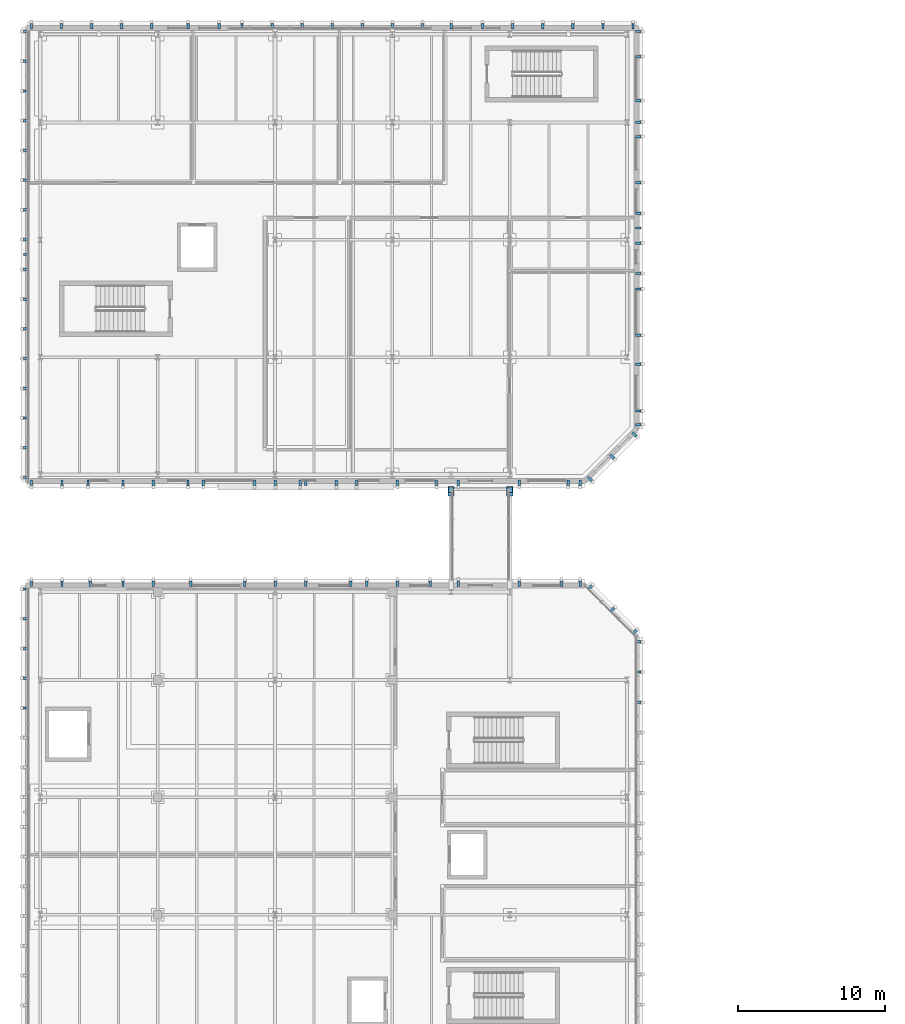
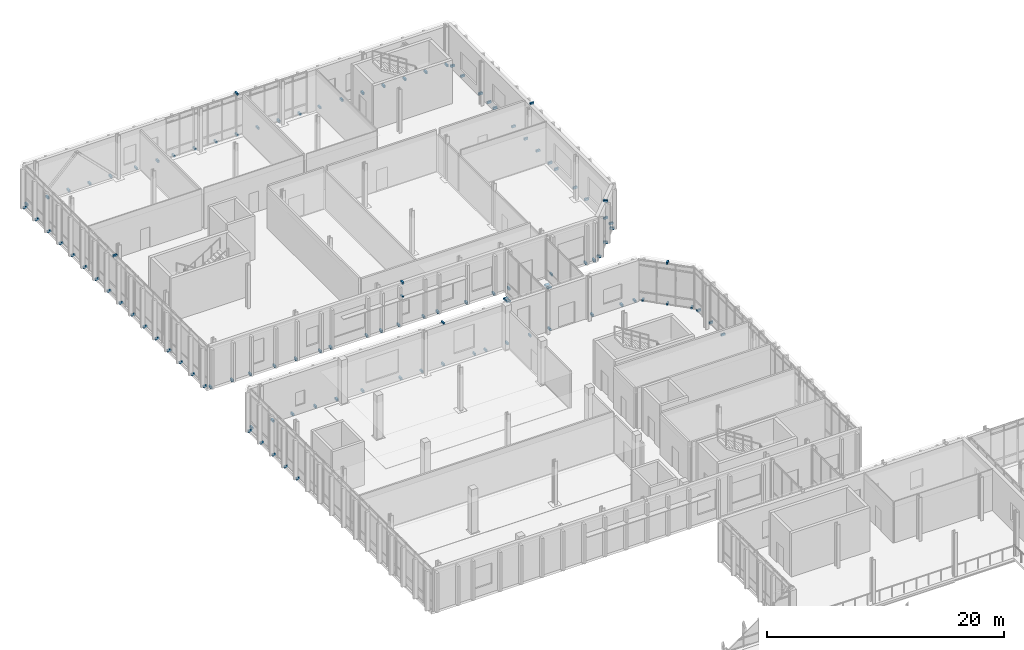
# One storey, part 80 of 100: 112 discrete accessories.
"""IFC4 building model written with IfcOpenShell, lengths in metres."""

from ifc_helpers import new_model, si_unit, direction, frame, origin, origin_2d, place, context, subcontext, project, spatial, rectangle, extrude, material, type_object, element, save


model = new_model("IFC4")

# Units and contexts
model_context = context("Model", 3, precision=1e-05, world=origin(), true_north=direction((0.0, 1.0)))
body_context = subcontext(model_context, "Body", "Model", "MODEL_VIEW")
ifc_project = project(units=[si_unit("LENGTHUNIT", "METRE"), si_unit("AREAUNIT", "SQUARE_METRE"), si_unit("VOLUMEUNIT", "CUBIC_METRE"), si_unit("PLANEANGLEUNIT", "RADIAN"), si_unit("MASSUNIT", "GRAM", prefix="KILO")], contexts=[model_context])

# Site, building, storey
site_placement = place(None, origin())
site = spatial("IfcSite", under=ifc_project, at=site_placement, CompositionType="ELEMENT")
building_placement = place(site_placement, origin())
building = spatial("IfcBuilding", under=site, at=building_placement, Name="Cymarion Research Institute", CompositionType="ELEMENT")
storey_placement = place(building_placement, frame((0.0, 0.0, 9.300048828125)))
storey = spatial("IfcBuildingStorey", under=building, at=storey_placement, Name="L02", CompositionType="ELEMENT", Elevation=9.300048828125)

# Discrete accessories
ifc_material = material(Name="Steel S355", Category="steel")
discrete_accessory_type_1 = type_object("IfcDiscreteAccessoryType", Name="PTFE ELASTOMERIC SLIDING BEARING SB01", PredefinedType="SHOE", material=ifc_material)
for number, where, z_axis, x_axis, name in (
    (1, (34.60009765625, 84.43994140625, -0.590087890625), (0.0, 0.0, 1.0), (1.0, 0.0, 0.0), "L02 SP2 unguided PTFE sliding bearing 1"),
    (2, (38.60009765625, 84.43994140625, -0.590087890625), (0.0, 0.0, 1.0), (1.0, 0.0, 0.0), "L02 SP2 unguided PTFE sliding bearing 2"),
):
    element("IfcDiscreteAccessory", number, at=place(storey_placement, frame(where, z_axis=z_axis, x_axis=x_axis)), inside=storey, type_object=discrete_accessory_type_1, Name=name, PredefinedType="SHOE", context=body_context, shape_type="SweptSolid", body=[
        extrude(rectangle(XDim=0.35009765625, YDim=0.35009765625, at=origin_2d()), origin(), (0.0, 0.0, 1.0), 0.080078125),
    ])
discrete_accessory_type_2 = type_object("IfcDiscreteAccessoryType", Name="STAINLESS STEEL FACADE FIN BRACKET FBK1", PredefinedType="BRACKET", material=ifc_material)
for number, where, z_axis, x_axis, name in (
    (3, (47.360107421875, 69.976806640625, -0.08984375), (0.0, 0.0, 1.0), (1.0, 0.0, 0.0), "L02 V4 vertical rib anchor bracket #546"),
    (4, (47.360107421875, 72.03857421875, -0.08984375), (0.0, 0.0, 1.0), (1.0, 0.0, 0.0), "L02 V4 vertical rib anchor bracket #547"),
    (5, (47.360107421875, 74.10009765625, -0.08984375), (0.0, 0.0, 1.0), (1.0, 0.0, 0.0), "L02 V4 vertical rib anchor bracket #548"),
):
    element("IfcDiscreteAccessory", number, at=place(storey_placement, frame(where, z_axis=z_axis, x_axis=x_axis)), inside=storey, type_object=discrete_accessory_type_2, Name=name, PredefinedType="BRACKET", context=body_context, shape_type="SweptSolid", body=[
        extrude(rectangle(XDim=0.3798828125, YDim=0.159912109375, at=origin_2d()), origin(), (0.0, 0.0, 1.0), 0.219970703125),
    ])
discrete_accessory_1_placement = place(storey_placement, frame((45.57177734375, 76.271728515625, 4.169921875), z_axis=(0.0, 0.0, 1.0), x_axis=(0.707106781187, 0.707106781187, 0.0)))
element("IfcDiscreteAccessory", 6, at=discrete_accessory_1_placement, inside=storey, type_object=discrete_accessory_type_2, Name="L02 V4 spandrel brow anchor bracket #549", PredefinedType="BRACKET", context=body_context, shape_type="SweptSolid", body=[
    extrude(rectangle(XDim=0.3798828125, YDim=0.159912109375, at=origin_2d()), origin(), (0.0, 0.0, 1.0), 0.199951171875),
])
for number, where, z_axis, x_axis, name in (
    (7, (47.0888671875, 74.754638671875, -0.08984375), (0.0, 0.0, 1.0), (0.707106781187, 0.707106781187, 0.0), "L02 V4 vertical rib anchor bracket #550"),
    (8, (45.57177734375, 76.271728515625, -0.08984375), (0.0, 0.0, 1.0), (0.707106781187, 0.707106781187, 0.0), "L02 V4 vertical rib anchor bracket #551"),
    (9, (44.054443359375, 77.788818359375, -0.08984375), (0.0, 0.0, 1.0), (0.707106781187, 0.707106781187, 0.0), "L02 V4 vertical rib anchor bracket #552"),
):
    element("IfcDiscreteAccessory", number, at=place(storey_placement, frame(where, z_axis=z_axis, x_axis=x_axis)), inside=storey, type_object=discrete_accessory_type_2, Name=name, PredefinedType="BRACKET", context=body_context, shape_type="SweptSolid", body=[
        extrude(rectangle(XDim=0.3798828125, YDim=0.159912109375, at=origin_2d()), origin(), (0.0, 0.0, 1.0), 0.219970703125),
    ])
discrete_accessory_2_placement = place(storey_placement, frame((24.699951171875, 78.06005859375, 4.169921875), z_axis=(0.0, 0.0, 1.0), x_axis=(0.0, 1.0, 0.0)))
element("IfcDiscreteAccessory", 10, at=discrete_accessory_2_placement, inside=storey, type_object=discrete_accessory_type_2, Name="L02 V4 spandrel brow anchor bracket #553", PredefinedType="BRACKET", context=body_context, shape_type="SweptSolid", body=[
    extrude(rectangle(XDim=0.3798828125, YDim=0.159912109375, at=origin_2d()), origin(), (0.0, 0.0, 1.0), 0.199951171875),
])
for number, where, z_axis, x_axis, name in (
    (11, (43.39990234375, 78.06005859375, -0.08984375), (0.0, 0.0, 1.0), (0.0, 1.0, 0.0), "L02 V4 vertical rib anchor bracket #554"),
    (12, (42.13818359375, 78.06005859375, -0.08984375), (0.0, 0.0, 1.0), (0.0, 1.0, 0.0), "L02 V4 vertical rib anchor bracket #555"),
    (13, (39.244384765625, 78.06005859375, -0.08984375), (0.0, 0.0, 1.0), (0.0, 1.0, 0.0), "L02 V4 vertical rib anchor bracket #556"),
    (14, (35.0888671875, 78.06005859375, -0.08984375), (0.0, 0.0, 1.0), (0.0, 1.0, 0.0), "L02 V4 vertical rib anchor bracket #557"),
    (15, (33.170166015625, 78.06005859375, -0.08984375), (0.0, 0.0, 1.0), (0.0, 1.0, 0.0), "L02 V4 vertical rib anchor bracket #558"),
    (16, (30.933349609375, 78.06005859375, -0.08984375), (0.0, 0.0, 1.0), (0.0, 1.0, 0.0), "L02 V4 vertical rib anchor bracket #559"),
    (17, (28.855712890625, 78.06005859375, -0.08984375), (0.0, 0.0, 1.0), (0.0, 1.0, 0.0), "L02 V4 vertical rib anchor bracket #560"),
    (18, (27.750244140625, 78.06005859375, -0.08984375), (0.0, 0.0, 1.0), (0.0, 1.0, 0.0), "L02 V4 vertical rib anchor bracket #561"),
    (19, (24.699951171875, 78.06005859375, -0.08984375), (0.0, 0.0, 1.0), (0.0, 1.0, 0.0), "L02 V4 vertical rib anchor bracket #562"),
    (20, (22.622314453125, 78.06005859375, -0.08984375), (0.0, 0.0, 1.0), (0.0, 1.0, 0.0), "L02 V4 vertical rib anchor bracket #563"),
    (21, (20.54443359375, 78.06005859375, -0.08984375), (0.0, 0.0, 1.0), (0.0, 1.0, 0.0), "L02 V4 vertical rib anchor bracket #564"),
    (22, (16.85009765625, 78.06005859375, -0.08984375), (0.0, 0.0, 1.0), (0.0, 1.0, 0.0), "L02 V4 vertical rib anchor bracket #565"),
    (23, (14.31103515625, 78.06005859375, -0.08984375), (0.0, 0.0, 1.0), (0.0, 1.0, 0.0), "L02 V4 vertical rib anchor bracket #566"),
    (24, (12.2333984375, 78.06005859375, -0.08984375), (0.0, 0.0, 1.0), (0.0, 1.0, 0.0), "L02 V4 vertical rib anchor bracket #567"),
    (25, (10.000244140625, 78.06005859375, -0.08984375), (0.0, 0.0, 1.0), (0.0, 1.0, 0.0), "L02 V4 vertical rib anchor bracket #568"),
    (26, (8.077880859375, 78.06005859375, -0.08984375), (0.0, 0.0, 1.0), (0.0, 1.0, 0.0), "L02 V4 vertical rib anchor bracket #569"),
    (27, (6.0, 78.06005859375, -0.08984375), (0.0, 0.0, 1.0), (0.0, 1.0, 0.0), "L02 V4 vertical rib anchor bracket #570"),
    (28, (5.639892578125, 77.699951171875, -0.08984375), (0.0, 0.0, 1.0), (-1.0, 0.0, 0.0), "L02 V4 vertical rib anchor bracket #572"),
    (29, (5.639892578125, 75.67333984375, -0.08984375), (0.0, 0.0, 1.0), (-1.0, 0.0, 0.0), "L02 V4 vertical rib anchor bracket #573"),
    (30, (5.639892578125, 73.646728515625, -0.08984375), (0.0, 0.0, 1.0), (-1.0, 0.0, 0.0), "L02 V4 vertical rib anchor bracket #574"),
    (31, (5.639892578125, 71.6201171875, -0.08984375), (0.0, 0.0, 1.0), (-1.0, 0.0, 0.0), "L02 V4 vertical rib anchor bracket #575"),
    (32, (5.639892578125, 69.59326171875, -0.08984375), (0.0, 0.0, 1.0), (-1.0, 0.0, 0.0), "L02 V4 vertical rib anchor bracket #576"),
):
    element("IfcDiscreteAccessory", number, at=place(storey_placement, frame(where, z_axis=z_axis, x_axis=x_axis)), inside=storey, type_object=discrete_accessory_type_2, Name=name, PredefinedType="BRACKET", context=body_context, shape_type="SweptSolid", body=[
        extrude(rectangle(XDim=0.3798828125, YDim=0.159912109375, at=origin_2d()), origin(), (0.0, 0.0, 1.0), 0.219970703125),
    ])
discrete_accessory_3_placement = place(storey_placement, frame((24.699951171875, 84.93994140625, 4.169921875), z_axis=(0.0, 0.0, 1.0), x_axis=(0.0, -1.0, 0.0)))
element("IfcDiscreteAccessory", 33, at=discrete_accessory_3_placement, inside=storey, type_object=discrete_accessory_type_2, Name="L02 V5 spandrel brow anchor bracket #588", PredefinedType="BRACKET", context=body_context, shape_type="SweptSolid", body=[
    extrude(rectangle(XDim=0.3798828125, YDim=0.159912109375, at=origin_2d()), origin(), (0.0, 0.0, 1.0), 0.199951171875),
])
for number, where, z_axis, x_axis, name in (
    (34, (6.0, 84.93994140625, -0.08984375), (0.0, 0.0, 1.0), (0.0, -1.0, 0.0), "L02 V5 vertical rib anchor bracket #589"),
    (35, (8.077880859375, 84.93994140625, -0.08984375), (0.0, 0.0, 1.0), (0.0, -1.0, 0.0), "L02 V5 vertical rib anchor bracket #590"),
    (36, (9.85009765625, 84.93994140625, -0.08984375), (0.0, 0.0, 1.0), (0.0, -1.0, 0.0), "L02 V5 vertical rib anchor bracket #591"),
    (37, (12.2333984375, 84.93994140625, -0.08984375), (0.0, 0.0, 1.0), (0.0, -1.0, 0.0), "L02 V5 vertical rib anchor bracket #592"),
    (38, (14.31103515625, 84.93994140625, -0.08984375), (0.0, 0.0, 1.0), (0.0, -1.0, 0.0), "L02 V5 vertical rib anchor bracket #593"),
    (39, (16.669921875, 84.93994140625, -0.08984375), (0.0, 0.0, 1.0), (0.0, -1.0, 0.0), "L02 V5 vertical rib anchor bracket #594"),
    (40, (17.7099609375, 84.93994140625, -0.08984375), (0.0, 0.0, 1.0), (0.0, -1.0, 0.0), "L02 V5 vertical rib anchor bracket #595"),
    (41, (21.2099609375, 84.93994140625, -0.08984375), (0.0, 0.0, 1.0), (0.0, -1.0, 0.0), "L02 V5 vertical rib anchor bracket #596"),
    (42, (22.622314453125, 84.93994140625, -0.08984375), (0.0, 0.0, 1.0), (0.0, -1.0, 0.0), "L02 V5 vertical rib anchor bracket #597"),
    (43, (24.320068359375, 84.93994140625, -0.08984375), (0.0, 0.0, 1.0), (0.0, -1.0, 0.0), "L02 V5 vertical rib anchor bracket #598"),
    (44, (26.77783203125, 84.93994140625, -0.08984375), (0.0, 0.0, 1.0), (0.0, -1.0, 0.0), "L02 V5 vertical rib anchor bracket #599"),
    (45, (28.155029296875, 84.93994140625, -0.08984375), (0.0, 0.0, 1.0), (0.0, -1.0, 0.0), "L02 V5 vertical rib anchor bracket #600"),
    (46, (30.933349609375, 84.93994140625, -0.08984375), (0.0, 0.0, 1.0), (0.0, -1.0, 0.0), "L02 V5 vertical rib anchor bracket #601"),
    (47, (33.60498046875, 84.93994140625, -0.08984375), (0.0, 0.0, 1.0), (0.0, -1.0, 0.0), "L02 V5 vertical rib anchor bracket #602"),
    (48, (35.0888671875, 84.93994140625, -0.08984375), (0.0, 0.0, 1.0), (0.0, -1.0, 0.0), "L02 V5 vertical rib anchor bracket #603"),
    (49, (39.244384765625, 84.93994140625, -0.08984375), (0.0, 0.0, 1.0), (0.0, -1.0, 0.0), "L02 V5 vertical rib anchor bracket #604"),
    (50, (42.574951171875, 84.93994140625, -0.08984375), (0.0, 0.0, 1.0), (0.0, -1.0, 0.0), "L02 V5 vertical rib anchor bracket #605"),
    (51, (43.39990234375, 84.93994140625, -0.08984375), (0.0, 0.0, 1.0), (0.0, -1.0, 0.0), "L02 V5 vertical rib anchor bracket #606"),
):
    element("IfcDiscreteAccessory", number, at=place(storey_placement, frame(where, z_axis=z_axis, x_axis=x_axis)), inside=storey, type_object=discrete_accessory_type_2, Name=name, PredefinedType="BRACKET", context=body_context, shape_type="SweptSolid", body=[
        extrude(rectangle(XDim=0.3798828125, YDim=0.159912109375, at=origin_2d()), origin(), (0.0, 0.0, 1.0), 0.219970703125),
    ])
discrete_accessory_4_placement = place(storey_placement, frame((24.699951171875, 84.949951171875, 2.72998046875), z_axis=(0.0, 0.0, 1.0), x_axis=(0.0, -1.0, 0.0)))
element("IfcDiscreteAccessory", 52, at=discrete_accessory_4_placement, inside=storey, type_object=discrete_accessory_type_2, Name="L02 V5 sunshade anchor bracket #6", PredefinedType="BRACKET", context=body_context, shape_type="SweptSolid", body=[
    extrude(rectangle(XDim=0.3798828125, YDim=0.159912109375, at=origin_2d()), origin(), (0.0, 0.0, 1.0), 0.179931640625),
])
discrete_accessory_5_placement = place(storey_placement, frame((45.57177734375, 86.728271484375, 4.169921875), z_axis=(0.0, 0.0, 1.0), x_axis=(0.707106781187, -0.707106781187, 0.0)))
element("IfcDiscreteAccessory", 53, at=discrete_accessory_5_placement, inside=storey, type_object=discrete_accessory_type_2, Name="L02 V5 spandrel brow anchor bracket #607", PredefinedType="BRACKET", context=body_context, shape_type="SweptSolid", body=[
    extrude(rectangle(XDim=0.3798828125, YDim=0.159912109375, at=origin_2d()), origin(), (0.0, 0.0, 1.0), 0.199951171875),
])
for number, where, z_axis, x_axis, name in (
    (54, (44.0546875, 85.211181640625, -0.08984375), (0.0, 0.0, 1.0), (0.707106781187, -0.707106781187, 0.0), "L02 V5 vertical rib anchor bracket #608"),
    (55, (45.57177734375, 86.728271484375, -0.08984375), (0.0, 0.0, 1.0), (0.707106781187, -0.707106781187, 0.0), "L02 V5 vertical rib anchor bracket #609"),
    (56, (47.0888671875, 88.24560546875, -0.08984375), (0.0, 0.0, 1.0), (0.707106781187, -0.707106781187, 0.0), "L02 V5 vertical rib anchor bracket #610"),
):
    element("IfcDiscreteAccessory", number, at=place(storey_placement, frame(where, z_axis=z_axis, x_axis=x_axis)), inside=storey, type_object=discrete_accessory_type_2, Name=name, PredefinedType="BRACKET", context=body_context, shape_type="SweptSolid", body=[
        extrude(rectangle(XDim=0.3798828125, YDim=0.159912109375, at=origin_2d()), origin(), (0.0, 0.0, 1.0), 0.219970703125),
    ])
discrete_accessory_6_placement = place(storey_placement, frame((47.360107421875, 102.300048828125, 4.169921875), z_axis=(0.0, 0.0, 1.0), x_axis=(1.0, 0.0, 0.0)))
element("IfcDiscreteAccessory", 57, at=discrete_accessory_6_placement, inside=storey, type_object=discrete_accessory_type_2, Name="L02 V5 spandrel brow anchor bracket #611", PredefinedType="BRACKET", context=body_context, shape_type="SweptSolid", body=[
    extrude(rectangle(XDim=0.3798828125, YDim=0.159912109375, at=origin_2d()), origin(), (0.0, 0.0, 1.0), 0.199951171875),
])
for number, where, z_axis, x_axis, name in (
    (58, (47.360107421875, 88.89990234375, -0.08984375), (0.0, 0.0, 1.0), (1.0, 0.0, 0.0), "L02 V5 vertical rib anchor bracket #612"),
    (59, (47.360107421875, 89.8369140625, -0.08984375), (0.0, 0.0, 1.0), (1.0, 0.0, 0.0), "L02 V5 vertical rib anchor bracket #613"),
    (60, (47.360107421875, 93.023193359375, -0.08984375), (0.0, 0.0, 1.0), (1.0, 0.0, 0.0), "L02 V5 vertical rib anchor bracket #614"),
    (61, (47.360107421875, 94.994873046875, -0.08984375), (0.0, 0.0, 1.0), (1.0, 0.0, 0.0), "L02 V5 vertical rib anchor bracket #615"),
    (62, (47.360107421875, 98.144775390625, -0.08984375), (0.0, 0.0, 1.0), (1.0, 0.0, 0.0), "L02 V5 vertical rib anchor bracket #616"),
    (63, (47.360107421875, 99.207763671875, -0.08984375), (0.0, 0.0, 1.0), (1.0, 0.0, 0.0), "L02 V5 vertical rib anchor bracket #617"),
    (64, (47.360107421875, 101.269287109375, -0.08984375), (0.0, 0.0, 1.0), (1.0, 0.0, 0.0), "L02 V5 vertical rib anchor bracket #618"),
    (65, (47.360107421875, 103.2998046875, -0.08984375), (0.0, 0.0, 1.0), (1.0, 0.0, 0.0), "L02 V5 vertical rib anchor bracket #619"),
    (66, (47.360107421875, 105.392333984375, -0.08984375), (0.0, 0.0, 1.0), (1.0, 0.0, 0.0), "L02 V5 vertical rib anchor bracket #620"),
    (67, (47.360107421875, 108.52978515625, -0.08984375), (0.0, 0.0, 1.0), (1.0, 0.0, 0.0), "L02 V5 vertical rib anchor bracket #621"),
    (68, (47.360107421875, 109.515380859375, -0.08984375), (0.0, 0.0, 1.0), (1.0, 0.0, 0.0), "L02 V5 vertical rib anchor bracket #622"),
    (69, (47.360107421875, 110.98974609375, -0.08984375), (0.0, 0.0, 1.0), (1.0, 0.0, 0.0), "L02 V5 vertical rib anchor bracket #623"),
    (70, (47.360107421875, 113.98974609375, -0.08984375), (0.0, 0.0, 1.0), (1.0, 0.0, 0.0), "L02 V5 vertical rib anchor bracket #624"),
    (71, (47.360107421875, 115.699951171875, -0.08984375), (0.0, 0.0, 1.0), (1.0, 0.0, 0.0), "L02 V5 vertical rib anchor bracket #625"),
):
    element("IfcDiscreteAccessory", number, at=place(storey_placement, frame(where, z_axis=z_axis, x_axis=x_axis)), inside=storey, type_object=discrete_accessory_type_2, Name=name, PredefinedType="BRACKET", context=body_context, shape_type="SweptSolid", body=[
        extrude(rectangle(XDim=0.3798828125, YDim=0.159912109375, at=origin_2d()), origin(), (0.0, 0.0, 1.0), 0.219970703125),
    ])
discrete_accessory_7_placement = place(storey_placement, frame((26.5, 116.06005859375, 4.169921875), z_axis=(0.0, 0.0, 1.0), x_axis=(0.0, 1.0, 0.0)))
element("IfcDiscreteAccessory", 72, at=discrete_accessory_7_placement, inside=storey, type_object=discrete_accessory_type_2, Name="L02 V5 spandrel brow anchor bracket #626", PredefinedType="BRACKET", context=body_context, shape_type="SweptSolid", body=[
    extrude(rectangle(XDim=0.3798828125, YDim=0.159912109375, at=origin_2d()), origin(), (0.0, 0.0, 1.0), 0.199951171875),
])
for number, where, z_axis, x_axis, name in (
    (73, (47.0, 116.06005859375, -0.08984375), (0.0, 0.0, 1.0), (0.0, 1.0, 0.0), "L02 V5 vertical rib anchor bracket #627"),
    (74, (44.949951171875, 116.06005859375, -0.08984375), (0.0, 0.0, 1.0), (0.0, 1.0, 0.0), "L02 V5 vertical rib anchor bracket #628"),
    (75, (42.89990234375, 116.06005859375, -0.08984375), (0.0, 0.0, 1.0), (0.0, 1.0, 0.0), "L02 V5 vertical rib anchor bracket #629"),
    (76, (40.85009765625, 116.06005859375, -0.08984375), (0.0, 0.0, 1.0), (0.0, 1.0, 0.0), "L02 V5 vertical rib anchor bracket #630"),
    (77, (38.800048828125, 116.06005859375, -0.08984375), (0.0, 0.0, 1.0), (0.0, 1.0, 0.0), "L02 V5 vertical rib anchor bracket #631"),
    (78, (36.75, 116.06005859375, -0.08984375), (0.0, 0.0, 1.0), (0.0, 1.0, 0.0), "L02 V5 vertical rib anchor bracket #632"),
    (79, (34.610107421875, 116.06005859375, -0.08984375), (0.0, 0.0, 1.0), (0.0, 1.0, 0.0), "L02 V5 vertical rib anchor bracket #633"),
    (80, (32.64990234375, 116.06005859375, -0.08984375), (0.0, 0.0, 1.0), (0.0, 1.0, 0.0), "L02 V5 vertical rib anchor bracket #634"),
    (81, (30.60009765625, 116.06005859375, -0.08984375), (0.0, 0.0, 1.0), (0.0, 1.0, 0.0), "L02 V5 vertical rib anchor bracket #635"),
    (82, (28.550048828125, 116.06005859375, -0.08984375), (0.0, 0.0, 1.0), (0.0, 1.0, 0.0), "L02 V5 vertical rib anchor bracket #636"),
    (83, (26.5, 116.06005859375, -0.08984375), (0.0, 0.0, 1.0), (0.0, 1.0, 0.0), "L02 V5 vertical rib anchor bracket #637"),
    (84, (24.449951171875, 116.06005859375, -0.08984375), (0.0, 0.0, 1.0), (0.0, 1.0, 0.0), "L02 V5 vertical rib anchor bracket #638"),
    (85, (22.39990234375, 116.06005859375, -0.08984375), (0.0, 0.0, 1.0), (0.0, 1.0, 0.0), "L02 V5 vertical rib anchor bracket #639"),
    (86, (20.35009765625, 116.06005859375, -0.08984375), (0.0, 0.0, 1.0), (0.0, 1.0, 0.0), "L02 V5 vertical rib anchor bracket #640"),
    (87, (18.79296875, 116.06005859375, -0.08984375), (0.0, 0.0, 1.0), (0.0, 1.0, 0.0), "L02 V5 vertical rib anchor bracket #641"),
    (88, (16.679931640625, 116.06005859375, -0.08984375), (0.0, 0.0, 1.0), (0.0, 1.0, 0.0), "L02 V5 vertical rib anchor bracket #642"),
    (89, (14.199951171875, 116.06005859375, -0.08984375), (0.0, 0.0, 1.0), (0.0, 1.0, 0.0), "L02 V5 vertical rib anchor bracket #643"),
    (90, (12.14990234375, 116.06005859375, -0.08984375), (0.0, 0.0, 1.0), (0.0, 1.0, 0.0), "L02 V5 vertical rib anchor bracket #644"),
    (91, (10.10009765625, 116.06005859375, -0.08984375), (0.0, 0.0, 1.0), (0.0, 1.0, 0.0), "L02 V5 vertical rib anchor bracket #645"),
    (92, (8.050048828125, 116.06005859375, -0.08984375), (0.0, 0.0, 1.0), (0.0, 1.0, 0.0), "L02 V5 vertical rib anchor bracket #646"),
    (93, (6.0, 116.06005859375, -0.08984375), (0.0, 0.0, 1.0), (0.0, 1.0, 0.0), "L02 V5 vertical rib anchor bracket #647"),
):
    element("IfcDiscreteAccessory", number, at=place(storey_placement, frame(where, z_axis=z_axis, x_axis=x_axis)), inside=storey, type_object=discrete_accessory_type_2, Name=name, PredefinedType="BRACKET", context=body_context, shape_type="SweptSolid", body=[
        extrude(rectangle(XDim=0.3798828125, YDim=0.159912109375, at=origin_2d()), origin(), (0.0, 0.0, 1.0), 0.219970703125),
    ])
discrete_accessory_8_placement = place(storey_placement, frame((5.639892578125, 100.5, 4.169921875), z_axis=(0.0, 0.0, 1.0), x_axis=(-1.0, 0.0, 0.0)))
element("IfcDiscreteAccessory", 94, at=discrete_accessory_8_placement, inside=storey, type_object=discrete_accessory_type_2, Name="L02 V5 spandrel brow anchor bracket #648", PredefinedType="BRACKET", context=body_context, shape_type="SweptSolid", body=[
    extrude(rectangle(XDim=0.3798828125, YDim=0.159912109375, at=origin_2d()), origin(), (0.0, 0.0, 1.0), 0.199951171875),
])
for number, where, z_axis, x_axis, name in (
    (95, (5.639892578125, 115.699951171875, -0.08984375), (0.0, 0.0, 1.0), (-1.0, 0.0, 0.0), "L02 V5 vertical rib anchor bracket #649"),
    (96, (5.639892578125, 113.67333984375, -0.08984375), (0.0, 0.0, 1.0), (-1.0, 0.0, 0.0), "L02 V5 vertical rib anchor bracket #650"),
    (97, (5.639892578125, 111.646728515625, -0.08984375), (0.0, 0.0, 1.0), (-1.0, 0.0, 0.0), "L02 V5 vertical rib anchor bracket #651"),
    (98, (5.639892578125, 109.6201171875, -0.08984375), (0.0, 0.0, 1.0), (-1.0, 0.0, 0.0), "L02 V5 vertical rib anchor bracket #652"),
    (99, (5.639892578125, 107.59326171875, -0.08984375), (0.0, 0.0, 1.0), (-1.0, 0.0, 0.0), "L02 V5 vertical rib anchor bracket #653"),
    (100, (5.639892578125, 105.566650390625, -0.08984375), (0.0, 0.0, 1.0), (-1.0, 0.0, 0.0), "L02 V5 vertical rib anchor bracket #654"),
    (101, (5.639892578125, 103.5400390625, -0.08984375), (0.0, 0.0, 1.0), (-1.0, 0.0, 0.0), "L02 V5 vertical rib anchor bracket #655"),
    (102, (5.639892578125, 101.51318359375, -0.08984375), (0.0, 0.0, 1.0), (-1.0, 0.0, 0.0), "L02 V5 vertical rib anchor bracket #656"),
    (103, (5.639892578125, 99.48681640625, -0.08984375), (0.0, 0.0, 1.0), (-1.0, 0.0, 0.0), "L02 V5 vertical rib anchor bracket #657"),
    (104, (5.639892578125, 97.4599609375, -0.08984375), (0.0, 0.0, 1.0), (-1.0, 0.0, 0.0), "L02 V5 vertical rib anchor bracket #658"),
    (105, (5.639892578125, 95.433349609375, -0.08984375), (0.0, 0.0, 1.0), (-1.0, 0.0, 0.0), "L02 V5 vertical rib anchor bracket #659"),
    (106, (5.639892578125, 93.40673828125, -0.08984375), (0.0, 0.0, 1.0), (-1.0, 0.0, 0.0), "L02 V5 vertical rib anchor bracket #660"),
    (107, (5.639892578125, 91.3798828125, -0.08984375), (0.0, 0.0, 1.0), (-1.0, 0.0, 0.0), "L02 V5 vertical rib anchor bracket #661"),
    (108, (5.639892578125, 89.353271484375, -0.08984375), (0.0, 0.0, 1.0), (-1.0, 0.0, 0.0), "L02 V5 vertical rib anchor bracket #662"),
    (109, (5.639892578125, 87.32666015625, -0.08984375), (0.0, 0.0, 1.0), (-1.0, 0.0, 0.0), "L02 V5 vertical rib anchor bracket #663"),
    (110, (5.639892578125, 85.300048828125, -0.08984375), (0.0, 0.0, 1.0), (-1.0, 0.0, 0.0), "L02 V5 vertical rib anchor bracket #664"),
):
    element("IfcDiscreteAccessory", number, at=place(storey_placement, frame(where, z_axis=z_axis, x_axis=x_axis)), inside=storey, type_object=discrete_accessory_type_2, Name=name, PredefinedType="BRACKET", context=body_context, shape_type="SweptSolid", body=[
        extrude(rectangle(XDim=0.3798828125, YDim=0.159912109375, at=origin_2d()), origin(), (0.0, 0.0, 1.0), 0.219970703125),
    ])
discrete_accessory_type_3 = type_object("IfcDiscreteAccessoryType", Name="STEEL BRIDGE BEARING CORBEL SEAT SBS650 420X650", PredefinedType="BRACKET", material=ifc_material)
for number, where, z_axis, x_axis, name in (
    (111, (34.60009765625, 84.364990234375, -0.72998046875), (0.0, 0.0, 1.0), (1.0, 0.0, 0.0), "L02 SP2 650mm steel bridge bearing seat corbel 1"),
    (112, (38.60009765625, 84.364990234375, -0.72998046875), (0.0, 0.0, 1.0), (1.0, 0.0, 0.0), "L02 SP2 650mm steel bridge bearing seat corbel 2"),
):
    element("IfcDiscreteAccessory", number, at=place(storey_placement, frame(where, z_axis=z_axis, x_axis=x_axis)), inside=storey, type_object=discrete_accessory_type_3, Name=name, PredefinedType="BRACKET", context=body_context, shape_type="SweptSolid", body=[
        extrude(rectangle(XDim=0.419921875, YDim=0.64990234375, at=origin_2d()), origin(), (0.0, 0.0, 1.0), 0.139892578125),
    ])

save(model, "model.ifc")
